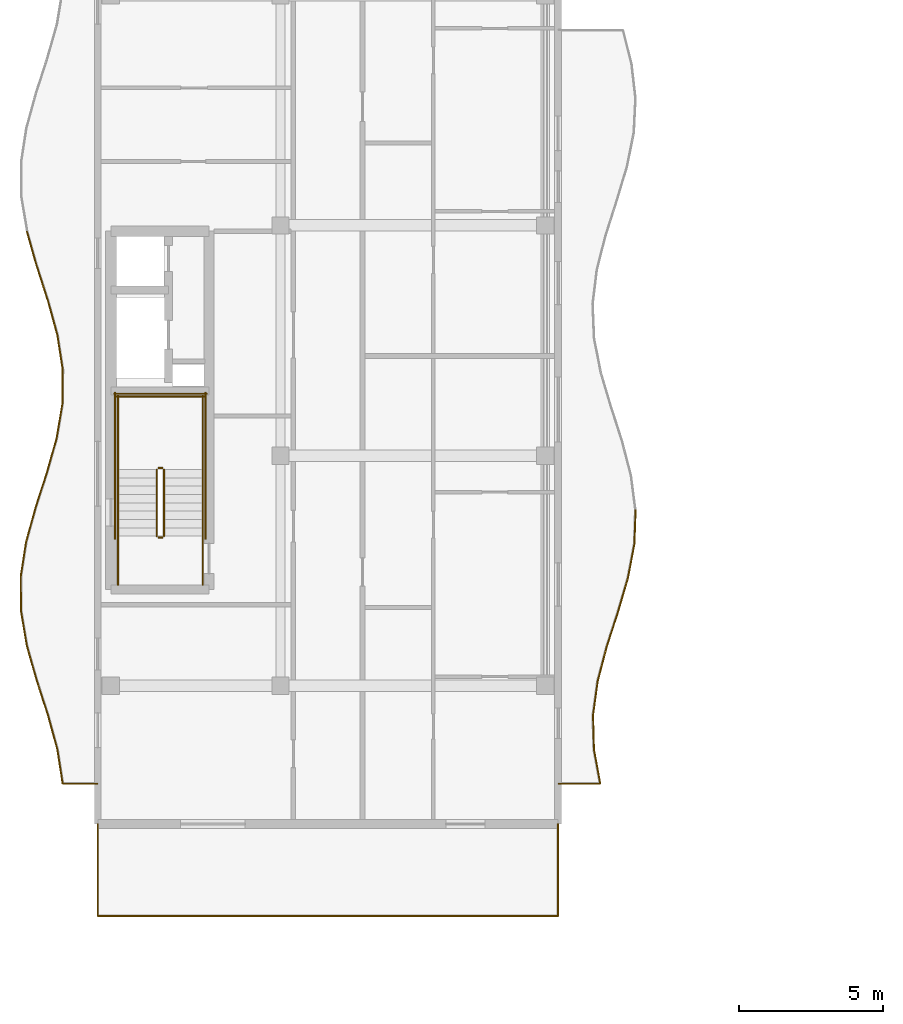
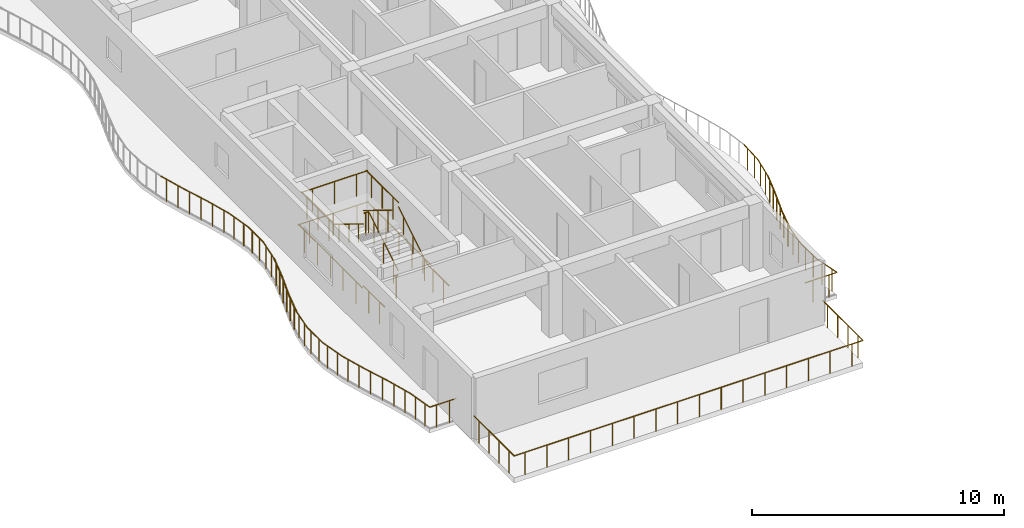
# One storey, part 48 of 72: 43 railings.
"""IFC4 building model written with IfcOpenShell, lengths in metres."""

from ifc_helpers import new_model, si_unit, direction, frame, origin, origin_2d, place, context, subcontext, project, spatial, circle, extrude, material, type_object, element, save


model = new_model("IFC4")

# Units and contexts
model_context = context("Model", 3, precision=1e-05, world=origin(), true_north=direction((0.0, 1.0)))
body_context = subcontext(model_context, "Body", "Model", "MODEL_VIEW")
ifc_project = project(units=[si_unit("LENGTHUNIT", "METRE"), si_unit("AREAUNIT", "SQUARE_METRE"), si_unit("VOLUMEUNIT", "CUBIC_METRE"), si_unit("PLANEANGLEUNIT", "RADIAN"), si_unit("MASSUNIT", "GRAM", prefix="KILO")], contexts=[model_context])

# Site, building, storey
site_placement = place(None, origin())
site = spatial("IfcSite", under=ifc_project, at=site_placement, CompositionType="ELEMENT")
building_placement = place(site_placement, origin())
building = spatial("IfcBuilding", under=site, at=building_placement, Name="Keldmere Railside Commons", CompositionType="ELEMENT")
storey_placement = place(building_placement, frame((0.0, 0.0, 16.9599609375)))
storey = spatial("IfcBuildingStorey", under=building, at=storey_placement, Name="L05", CompositionType="ELEMENT", Elevation=16.9599609375)

# Railings
ifc_material = material(Name="Steel F-24 (S235)", Category="steel")
railing_type_1 = type_object("IfcRailingType", Name="Balcony & Terrace Steel Balustrade 1100", PredefinedType="BALUSTRADE", material=ifc_material)
railing_1_placement = place(storey_placement, frame((24.0, 60.60009765625, 0.0)))
element("IfcRailing", 1, at=railing_1_placement, inside=storey, type_object=railing_type_1, Name="GR-1 GRD-L05-0525", PredefinedType="BALUSTRADE", context=body_context, shape_type="SweptSolid", body=[
    extrude(circle(Radius=0.02392578125, at=origin_2d()), frame((0.0, 0.0, 1.076171875), z_axis=(1.0, 0.0, 0.0), x_axis=(0.0, 1.0, 0.0)), (0.0, 0.0, 1.0), 1.4619140625),
    extrude(circle(Radius=0.02099609375, at=origin_2d()), frame((0.365478515625, 0.0, 0.0)), (0.0, 0.0, 1.0), 1.048095703125),
    extrude(circle(Radius=0.02099609375, at=origin_2d()), frame((1.096435546875, 0.0, 0.0)), (0.0, 0.0, 1.0), 1.048095703125),
])
railing_2_placement = place(storey_placement, frame((25.4619140625, 60.60009765625, 0.0)))
element("IfcRailing", 2, at=railing_2_placement, inside=storey, type_object=railing_type_1, Name="GR-1 GRD-L05-0526", PredefinedType="BALUSTRADE", context=body_context, shape_type="SweptSolid", body=[
    extrude(circle(Radius=0.02392578125, at=origin_2d()), frame((0.0, 0.0, 1.076171875), z_axis=(-0.180269342587, 0.983617285393, 0.0), x_axis=(-0.983617285393, -0.180269342587, 0.0)), (0.0, 0.0, 1.0), 1.210693359375),
    extrude(circle(Radius=0.02099609375, at=origin_2d()), frame((-0.0546875, 0.2978515625, 0.0)), (0.0, 0.0, 1.0), 1.048095703125),
    extrude(circle(Radius=0.02099609375, at=origin_2d()), frame((-0.16357421875, 0.89306640625, 0.0)), (0.0, 0.0, 1.0), 1.048095703125),
])
railing_3_placement = place(storey_placement, frame((25.24365234375, 61.791015625, 0.0)))
element("IfcRailing", 3, at=railing_3_placement, inside=storey, type_object=railing_type_1, Name="GR-1 GRD-L05-0527", PredefinedType="BALUSTRADE", context=body_context, shape_type="SweptSolid", body=[
    extrude(circle(Radius=0.02392578125, at=origin_2d()), frame((0.0, 0.0, 1.076171875), z_axis=(-0.026851090266, 0.999639444476, 0.0), x_axis=(-0.999639444476, -0.026851090266, 0.0)), (0.0, 0.0, 1.0), 1.191162109375),
    extrude(circle(Radius=0.02099609375, at=origin_2d()), frame((-0.008056640625, 0.297607421875, 0.0)), (0.0, 0.0, 1.0), 1.048095703125),
    extrude(circle(Radius=0.02099609375, at=origin_2d()), frame((-0.02392578125, 0.89306640625, 0.0)), (0.0, 0.0, 1.0), 1.048095703125),
])
railing_4_placement = place(storey_placement, frame((25.211669921875, 62.981689453125, 0.0)))
element("IfcRailing", 4, at=railing_4_placement, inside=storey, type_object=railing_type_1, Name="GR-1 GRD-L05-0528", PredefinedType="BALUSTRADE", context=body_context, shape_type="SweptSolid", body=[
    extrude(circle(Radius=0.02392578125, at=origin_2d()), frame((0.0, 0.0, 1.076171875), z_axis=(0.135675124648, 0.990753380288, 0.0), x_axis=(-0.990753380288, 0.135675124648, 0.0)), (0.0, 0.0, 1.0), 1.2021484375),
    extrude(circle(Radius=0.02099609375, at=origin_2d()), frame((0.040771484375, 0.2978515625, 0.0)), (0.0, 0.0, 1.0), 1.048095703125),
    extrude(circle(Radius=0.02099609375, at=origin_2d()), frame((0.122314453125, 0.89306640625, 0.0)), (0.0, 0.0, 1.0), 1.048095703125),
])
railing_5_placement = place(storey_placement, frame((25.374755859375, 64.172607421875, 0.0)))
element("IfcRailing", 5, at=railing_5_placement, inside=storey, type_object=railing_type_1, Name="GR-1 GRD-L05-0529", PredefinedType="BALUSTRADE", context=body_context, shape_type="SweptSolid", body=[
    extrude(circle(Radius=0.02392578125, at=origin_2d()), frame((0.0, 0.0, 1.076171875), z_axis=(0.255478514033, 0.966814733477, 0.0), x_axis=(-0.966814733477, 0.255478514033, 0.0)), (0.0, 0.0, 1.0), 1.231689453125),
    extrude(circle(Radius=0.02099609375, at=origin_2d()), frame((0.07861328125, 0.2978515625, 0.0)), (0.0, 0.0, 1.0), 1.048095703125),
    extrude(circle(Radius=0.02099609375, at=origin_2d()), frame((0.236083984375, 0.89306640625, 0.0)), (0.0, 0.0, 1.0), 1.048095703125),
])
railing_6_placement = place(storey_placement, frame((25.689453125, 65.363525390625, 0.0)))
element("IfcRailing", 6, at=railing_6_placement, inside=storey, type_object=railing_type_1, Name="GR-1 GRD-L05-0530", PredefinedType="BALUSTRADE", context=body_context, shape_type="SweptSolid", body=[
    extrude(circle(Radius=0.02392578125, at=origin_2d()), frame((0.0, 0.0, 1.076171875), z_axis=(0.306729120658, 0.951796851508, 0.0), x_axis=(-0.951796851508, 0.306729120658, 0.0)), (0.0, 0.0, 1.0), 1.251220703125),
    extrude(circle(Radius=0.02099609375, at=origin_2d()), frame((0.095947265625, 0.2978515625, 0.0)), (0.0, 0.0, 1.0), 1.048095703125),
    extrude(circle(Radius=0.02099609375, at=origin_2d()), frame((0.287841796875, 0.89306640625, 0.0)), (0.0, 0.0, 1.0), 1.048095703125),
])
railing_7_placement = place(storey_placement, frame((26.0732421875, 66.554443359375, 0.0)))
element("IfcRailing", 7, at=railing_7_placement, inside=storey, type_object=railing_type_1, Name="GR-1 GRD-L05-0531", PredefinedType="BALUSTRADE", context=body_context, shape_type="SweptSolid", body=[
    extrude(circle(Radius=0.02392578125, at=origin_2d()), frame((0.0, 0.0, 1.076171875), z_axis=(0.282709116991, 0.959205689709, 0.0), x_axis=(-0.959205689709, 0.282709116991, 0.0)), (0.0, 0.0, 1.0), 1.241943359375),
    extrude(circle(Radius=0.02099609375, at=origin_2d()), frame((0.087890625, 0.2978515625, 0.0)), (0.0, 0.0, 1.0), 1.048095703125),
    extrude(circle(Radius=0.02099609375, at=origin_2d()), frame((0.26318359375, 0.893310546875, 0.0)), (0.0, 0.0, 1.0), 1.048095703125),
])
railing_8_placement = place(storey_placement, frame((26.42431640625, 67.74560546875, 0.0)))
element("IfcRailing", 8, at=railing_8_placement, inside=storey, type_object=railing_type_1, Name="GR-1 GRD-L05-0532", PredefinedType="BALUSTRADE", context=body_context, shape_type="SweptSolid", body=[
    extrude(circle(Radius=0.02392578125, at=origin_2d()), frame((0.0, 0.0, 1.076171875), z_axis=(0.186343709333, 0.982484616669, 0.0), x_axis=(-0.982484616669, 0.186343709333, 0.0)), (0.0, 0.0, 1.0), 1.2119140625),
    extrude(circle(Radius=0.02099609375, at=origin_2d()), frame((0.056396484375, 0.297607421875, 0.0)), (0.0, 0.0, 1.0), 1.048095703125),
    extrude(circle(Radius=0.02099609375, at=origin_2d()), frame((0.16943359375, 0.89306640625, 0.0)), (0.0, 0.0, 1.0), 1.048095703125),
])
railing_9_placement = place(storey_placement, frame((26.650146484375, 68.936279296875, 0.0)))
element("IfcRailing", 9, at=railing_9_placement, inside=storey, type_object=railing_type_1, Name="GR-1 GRD-L05-0533", PredefinedType="BALUSTRADE", context=body_context, shape_type="SweptSolid", body=[
    extrude(circle(Radius=0.02392578125, at=origin_2d()), frame((0.0, 0.0, 1.076171875), z_axis=(0.034419937067, 0.999407458413, 0.0), x_axis=(-0.999407458413, 0.034419937067, 0.0)), (0.0, 0.0, 1.0), 1.191650390625),
    extrude(circle(Radius=0.02099609375, at=origin_2d()), frame((0.01025390625, 0.2978515625, 0.0)), (0.0, 0.0, 1.0), 1.048095703125),
    extrude(circle(Radius=0.02099609375, at=origin_2d()), frame((0.03076171875, 0.89306640625, 0.0)), (0.0, 0.0, 1.0), 1.048095703125),
])
railing_10_placement = place(storey_placement, frame((8.0, 60.60009765625, 0.0)))
element("IfcRailing", 10, at=railing_10_placement, inside=storey, type_object=railing_type_1, Name="GR-1 GRD-L05-0549", PredefinedType="BALUSTRADE", context=body_context, shape_type="SweptSolid", body=[
    extrude(circle(Radius=0.02392578125, at=origin_2d()), frame((0.0, 0.0, 1.076171875), z_axis=(-1.0, 0.0, 0.0), x_axis=(0.0, -1.0, 0.0)), (0.0, 0.0, 1.0), 1.22119140625),
    extrude(circle(Radius=0.02099609375, at=origin_2d()), frame((-0.30517578125, 0.0, 0.0)), (0.0, 0.0, 1.0), 1.048095703125),
    extrude(circle(Radius=0.02099609375, at=origin_2d()), frame((-0.916015625, 0.0, 0.0)), (0.0, 0.0, 1.0), 1.048095703125),
])
railing_11_placement = place(storey_placement, frame((6.77880859375, 60.60009765625, 0.0)))
element("IfcRailing", 11, at=railing_11_placement, inside=storey, type_object=railing_type_1, Name="GR-1 GRD-L05-0550", PredefinedType="BALUSTRADE", context=body_context, shape_type="SweptSolid", body=[
    extrude(circle(Radius=0.02392578125, at=origin_2d()), frame((0.0, 0.0, 1.076171875), z_axis=(-0.153008967051, 0.988224800337, 0.0), x_axis=(-0.988224800337, -0.153008967051, 0.0)), (0.0, 0.0, 1.0), 1.21435546875),
    extrude(circle(Radius=0.02099609375, at=origin_2d()), frame((-0.04638671875, 0.300048828125, 0.0)), (0.0, 0.0, 1.0), 1.048095703125),
    extrude(circle(Radius=0.02099609375, at=origin_2d()), frame((-0.139404296875, 0.89990234375, 0.0)), (0.0, 0.0, 1.0), 1.048095703125),
])
railing_12_placement = place(storey_placement, frame((6.593017578125, 61.800048828125, 0.0)))
element("IfcRailing", 12, at=railing_12_placement, inside=storey, type_object=railing_type_1, Name="GR-1 GRD-L05-0551", PredefinedType="BALUSTRADE", context=body_context, shape_type="SweptSolid", body=[
    extrude(circle(Radius=0.02392578125, at=origin_2d()), frame((0.0, 0.0, 1.076171875), z_axis=(-0.266136381947, 0.96393538487, 0.0), x_axis=(-0.96393538487, -0.266136381947, 0.0)), (0.0, 0.0, 1.0), 1.244873046875),
    extrude(circle(Radius=0.02099609375, at=origin_2d()), frame((-0.082763671875, 0.300048828125, 0.0)), (0.0, 0.0, 1.0), 1.048095703125),
    extrude(circle(Radius=0.02099609375, at=origin_2d()), frame((-0.24853515625, 0.89990234375, 0.0)), (0.0, 0.0, 1.0), 1.048095703125),
])
railing_13_placement = place(storey_placement, frame((6.26171875, 63.0, 0.0)))
element("IfcRailing", 13, at=railing_13_placement, inside=storey, type_object=railing_type_1, Name="GR-1 GRD-L05-0552", PredefinedType="BALUSTRADE", context=body_context, shape_type="SweptSolid", body=[
    extrude(circle(Radius=0.02392578125, at=origin_2d()), frame((0.0, 0.0, 1.076171875), z_axis=(-0.307794514865, 0.9514528557, 0.0), x_axis=(-0.9514528557, -0.307794514865, 0.0)), (0.0, 0.0, 1.0), 1.26123046875),
    extrude(circle(Radius=0.02099609375, at=origin_2d()), frame((-0.09716796875, 0.300048828125, 0.0)), (0.0, 0.0, 1.0), 1.048095703125),
    extrude(circle(Radius=0.02099609375, at=origin_2d()), frame((-0.291015625, 0.89990234375, 0.0)), (0.0, 0.0, 1.0), 1.048095703125),
])
railing_14_placement = place(storey_placement, frame((5.87353515625, 64.199951171875, 0.0)))
element("IfcRailing", 14, at=railing_14_placement, inside=storey, type_object=railing_type_1, Name="GR-1 GRD-L05-0553", PredefinedType="BALUSTRADE", context=body_context, shape_type="SweptSolid", body=[
    extrude(circle(Radius=0.02392578125, at=origin_2d()), frame((0.0, 0.0, 1.076171875), z_axis=(-0.273221524605, 0.961951141427, 0.0), x_axis=(-0.961951141427, -0.273221524605, 0.0)), (0.0, 0.0, 1.0), 1.247314453125),
    extrude(circle(Radius=0.02099609375, at=origin_2d()), frame((-0.085205078125, 0.300048828125, 0.0)), (0.0, 0.0, 1.0), 1.048095703125),
    extrude(circle(Radius=0.02099609375, at=origin_2d()), frame((-0.255615234375, 0.89990234375, 0.0)), (0.0, 0.0, 1.0), 1.048095703125),
])
railing_15_placement = place(storey_placement, frame((5.53271484375, 65.39990234375, 0.0)))
element("IfcRailing", 15, at=railing_15_placement, inside=storey, type_object=railing_type_1, Name="GR-1 GRD-L05-0554", PredefinedType="BALUSTRADE", context=body_context, shape_type="SweptSolid", body=[
    extrude(circle(Radius=0.02392578125, at=origin_2d()), frame((0.0, 0.0, 1.076171875), z_axis=(-0.166090224572, 0.986110560384, 0.0), x_axis=(-0.986110560384, -0.166090224572, 0.0)), (0.0, 0.0, 1.0), 1.217041015625),
    extrude(circle(Radius=0.02099609375, at=origin_2d()), frame((-0.050537109375, 0.300048828125, 0.0)), (0.0, 0.0, 1.0), 1.048095703125),
    extrude(circle(Radius=0.02099609375, at=origin_2d()), frame((-0.151611328125, 0.900146484375, 0.0)), (0.0, 0.0, 1.0), 1.048095703125),
])
railing_16_placement = place(storey_placement, frame((5.33056640625, 66.60009765625, 0.0)))
element("IfcRailing", 16, at=railing_16_placement, inside=storey, type_object=railing_type_1, Name="GR-1 GRD-L05-0555", PredefinedType="BALUSTRADE", context=body_context, shape_type="SweptSolid", body=[
    extrude(circle(Radius=0.02392578125, at=origin_2d()), frame((0.0, 0.0, 1.076171875), z_axis=(-0.007934643395, 0.999968520222, 0.0), x_axis=(-0.999968520222, -0.007934643395, 0.0)), (0.0, 0.0, 1.0), 1.199951171875),
    extrude(circle(Radius=0.02099609375, at=origin_2d()), frame((-0.00244140625, 0.300048828125, 0.0)), (0.0, 0.0, 1.0), 1.048095703125),
    extrude(circle(Radius=0.02099609375, at=origin_2d()), frame((-0.007080078125, 0.89990234375, 0.0)), (0.0, 0.0, 1.0), 1.048095703125),
])
railing_17_placement = place(storey_placement, frame((5.321044921875, 67.800048828125, 0.0)))
element("IfcRailing", 17, at=railing_17_placement, inside=storey, type_object=railing_type_1, Name="GR-1 GRD-L05-0556", PredefinedType="BALUSTRADE", context=body_context, shape_type="SweptSolid", body=[
    extrude(circle(Radius=0.02392578125, at=origin_2d()), frame((0.0, 0.0, 1.076171875), z_axis=(0.153205313782, 0.988194379578, 0.0), x_axis=(-0.988194379578, 0.153205313782, 0.0)), (0.0, 0.0, 1.0), 1.21435546875),
    extrude(circle(Radius=0.02099609375, at=origin_2d()), frame((0.04638671875, 0.300048828125, 0.0)), (0.0, 0.0, 1.0), 1.048095703125),
    extrude(circle(Radius=0.02099609375, at=origin_2d()), frame((0.1396484375, 0.89990234375, 0.0)), (0.0, 0.0, 1.0), 1.048095703125),
])
railing_18_placement = place(storey_placement, frame((5.507080078125, 69.0, 0.0)))
element("IfcRailing", 18, at=railing_18_placement, inside=storey, type_object=railing_type_1, Name="GR-1 GRD-L05-0557", PredefinedType="BALUSTRADE", context=body_context, shape_type="SweptSolid", body=[
    extrude(circle(Radius=0.02392578125, at=origin_2d()), frame((0.0, 0.0, 1.076171875), z_axis=(0.266136381947, 0.96393538487, 0.0), x_axis=(-0.96393538487, 0.266136381947, 0.0)), (0.0, 0.0, 1.0), 1.244873046875),
    extrude(circle(Radius=0.02099609375, at=origin_2d()), frame((0.082763671875, 0.300048828125, 0.0)), (0.0, 0.0, 1.0), 1.048095703125),
    extrude(circle(Radius=0.02099609375, at=origin_2d()), frame((0.24853515625, 0.89990234375, 0.0)), (0.0, 0.0, 1.0), 1.048095703125),
])
railing_19_placement = place(storey_placement, frame((5.83837890625, 70.199951171875, 0.0)))
element("IfcRailing", 19, at=railing_19_placement, inside=storey, type_object=railing_type_1, Name="GR-1 GRD-L05-0558", PredefinedType="BALUSTRADE", context=body_context, shape_type="SweptSolid", body=[
    extrude(circle(Radius=0.02392578125, at=origin_2d()), frame((0.0, 0.0, 1.076171875), z_axis=(0.307794514865, 0.9514528557, 0.0), x_axis=(-0.9514528557, 0.307794514865, 0.0)), (0.0, 0.0, 1.0), 1.26123046875),
    extrude(circle(Radius=0.02099609375, at=origin_2d()), frame((0.09716796875, 0.300048828125, 0.0)), (0.0, 0.0, 1.0), 1.048095703125),
    extrude(circle(Radius=0.02099609375, at=origin_2d()), frame((0.291015625, 0.89990234375, 0.0)), (0.0, 0.0, 1.0), 1.048095703125),
])
railing_20_placement = place(storey_placement, frame((6.2265625, 71.39990234375, 0.0)))
element("IfcRailing", 20, at=railing_20_placement, inside=storey, type_object=railing_type_1, Name="GR-1 GRD-L05-0559", PredefinedType="BALUSTRADE", context=body_context, shape_type="SweptSolid", body=[
    extrude(circle(Radius=0.02392578125, at=origin_2d()), frame((0.0, 0.0, 1.076171875), z_axis=(0.273170094317, 0.961965747608, 0.0), x_axis=(-0.961965747608, 0.273170094317, 0.0)), (0.0, 0.0, 1.0), 1.24755859375),
    extrude(circle(Radius=0.02099609375, at=origin_2d()), frame((0.085205078125, 0.300048828125, 0.0)), (0.0, 0.0, 1.0), 1.048095703125),
    extrude(circle(Radius=0.02099609375, at=origin_2d()), frame((0.255615234375, 0.900146484375, 0.0)), (0.0, 0.0, 1.0), 1.048095703125),
])
railing_21_placement = place(storey_placement, frame((6.5673828125, 72.60009765625, 0.0)))
element("IfcRailing", 21, at=railing_21_placement, inside=storey, type_object=railing_type_1, Name="GR-1 GRD-L05-0560", PredefinedType="BALUSTRADE", context=body_context, shape_type="SweptSolid", body=[
    extrude(circle(Radius=0.02392578125, at=origin_2d()), frame((0.0, 0.0, 1.076171875), z_axis=(0.166123084614, 0.986105025217, 0.0), x_axis=(-0.986105025217, 0.166123084614, 0.0)), (0.0, 0.0, 1.0), 1.216796875),
    extrude(circle(Radius=0.02099609375, at=origin_2d()), frame((0.050537109375, 0.300048828125, 0.0)), (0.0, 0.0, 1.0), 1.048095703125),
    extrude(circle(Radius=0.02099609375, at=origin_2d()), frame((0.151611328125, 0.89990234375, 0.0)), (0.0, 0.0, 1.0), 1.048095703125),
])
railing_22_placement = place(storey_placement, frame((6.76953125, 73.800048828125, 0.0)))
element("IfcRailing", 22, at=railing_22_placement, inside=storey, type_object=railing_type_1, Name="GR-1 GRD-L05-0561", PredefinedType="BALUSTRADE", context=body_context, shape_type="SweptSolid", body=[
    extrude(circle(Radius=0.02392578125, at=origin_2d()), frame((0.0, 0.0, 1.076171875), z_axis=(0.007731203321, 0.999970113801, 0.0), x_axis=(-0.999970113801, 0.007731203321, 0.0)), (0.0, 0.0, 1.0), 1.199951171875),
    extrude(circle(Radius=0.02099609375, at=origin_2d()), frame((0.00244140625, 0.300048828125, 0.0)), (0.0, 0.0, 1.0), 1.048095703125),
    extrude(circle(Radius=0.02099609375, at=origin_2d()), frame((0.0068359375, 0.89990234375, 0.0)), (0.0, 0.0, 1.0), 1.048095703125),
])
railing_23_placement = place(storey_placement, frame((6.77880859375, 75.0, 0.0)))
element("IfcRailing", 23, at=railing_23_placement, inside=storey, type_object=railing_type_1, Name="GR-1 GRD-L05-0562", PredefinedType="BALUSTRADE", context=body_context, shape_type="SweptSolid", body=[
    extrude(circle(Radius=0.02392578125, at=origin_2d()), frame((0.0, 0.0, 1.076171875), z_axis=(-0.153008967051, 0.988224800337, 0.0), x_axis=(-0.988224800337, -0.153008967051, 0.0)), (0.0, 0.0, 1.0), 1.21435546875),
    extrude(circle(Radius=0.02099609375, at=origin_2d()), frame((-0.04638671875, 0.300048828125, 0.0)), (0.0, 0.0, 1.0), 1.048095703125),
    extrude(circle(Radius=0.02099609375, at=origin_2d()), frame((-0.139404296875, 0.89990234375, 0.0)), (0.0, 0.0, 1.0), 1.048095703125),
])
railing_24_placement = place(storey_placement, frame((6.593017578125, 76.199951171875, 0.0)))
element("IfcRailing", 24, at=railing_24_placement, inside=storey, type_object=railing_type_1, Name="GR-1 GRD-L05-0563", PredefinedType="BALUSTRADE", context=body_context, shape_type="SweptSolid", body=[
    extrude(circle(Radius=0.02392578125, at=origin_2d()), frame((0.0, 0.0, 1.076171875), z_axis=(-0.266136381947, 0.96393538487, 0.0), x_axis=(-0.96393538487, -0.266136381947, 0.0)), (0.0, 0.0, 1.0), 1.244873046875),
    extrude(circle(Radius=0.02099609375, at=origin_2d()), frame((-0.082763671875, 0.300048828125, 0.0)), (0.0, 0.0, 1.0), 1.048095703125),
    extrude(circle(Radius=0.02099609375, at=origin_2d()), frame((-0.24853515625, 0.89990234375, 0.0)), (0.0, 0.0, 1.0), 1.048095703125),
])
railing_25_placement = place(storey_placement, frame((6.26171875, 77.39990234375, 0.0)))
element("IfcRailing", 25, at=railing_25_placement, inside=storey, type_object=railing_type_1, Name="GR-1 GRD-L05-0564", PredefinedType="BALUSTRADE", context=body_context, shape_type="SweptSolid", body=[
    extrude(circle(Radius=0.02392578125, at=origin_2d()), frame((0.0, 0.0, 1.076171875), z_axis=(-0.307737834048, 0.95147119005, 0.0), x_axis=(-0.95147119005, -0.307737834048, 0.0)), (0.0, 0.0, 1.0), 1.261474609375),
    extrude(circle(Radius=0.02099609375, at=origin_2d()), frame((-0.09716796875, 0.300048828125, 0.0)), (0.0, 0.0, 1.0), 1.048095703125),
    extrude(circle(Radius=0.02099609375, at=origin_2d()), frame((-0.291015625, 0.900146484375, 0.0)), (0.0, 0.0, 1.0), 1.048095703125),
])
railing_26_placement = place(storey_placement, frame((5.87353515625, 78.60009765625, 0.0)))
element("IfcRailing", 26, at=railing_26_placement, inside=storey, type_object=railing_type_1, Name="GR-1 GRD-L05-0565", PredefinedType="BALUSTRADE", context=body_context, shape_type="SweptSolid", body=[
    extrude(circle(Radius=0.02392578125, at=origin_2d()), frame((0.0, 0.0, 1.076171875), z_axis=(-0.273221524605, 0.961951141427, 0.0), x_axis=(-0.961951141427, -0.273221524605, 0.0)), (0.0, 0.0, 1.0), 1.247314453125),
    extrude(circle(Radius=0.02099609375, at=origin_2d()), frame((-0.085205078125, 0.300048828125, 0.0)), (0.0, 0.0, 1.0), 1.048095703125),
    extrude(circle(Radius=0.02099609375, at=origin_2d()), frame((-0.255615234375, 0.89990234375, 0.0)), (0.0, 0.0, 1.0), 1.048095703125),
])
railing_27_placement = place(storey_placement, frame((8.0, 59.199951171875, 0.0)))
element("IfcRailing", 27, at=railing_27_placement, inside=storey, type_object=railing_type_1, Name="GR-1 GRD-L05-0609", PredefinedType="BALUSTRADE", context=body_context, shape_type="SweptSolid", body=[
    extrude(circle(Radius=0.02392578125, at=origin_2d()), frame((0.0, 0.0, 1.076171875), z_axis=(0.0, -1.0, 0.0), x_axis=(1.0, 0.0, 0.0)), (0.0, 0.0, 1.0), 3.199951171875),
    extrude(circle(Radius=0.02099609375, at=origin_2d()), frame((0.0, -0.39990234375, 0.0)), (0.0, 0.0, 1.0), 1.048095703125),
    extrude(circle(Radius=0.02099609375, at=origin_2d()), frame((0.0, -1.199951171875, 0.0)), (0.0, 0.0, 1.0), 1.048095703125),
    extrude(circle(Radius=0.02099609375, at=origin_2d()), frame((0.0, -2.0, 0.0)), (0.0, 0.0, 1.0), 1.048095703125),
    extrude(circle(Radius=0.02099609375, at=origin_2d()), frame((0.0, -2.800048828125, 0.0)), (0.0, 0.0, 1.0), 1.048095703125),
])
railing_28_placement = place(storey_placement, frame((8.0, 56.0, 0.0)))
element("IfcRailing", 28, at=railing_28_placement, inside=storey, type_object=railing_type_1, Name="GR-1 GRD-L05-0610", PredefinedType="BALUSTRADE", context=body_context, shape_type="SweptSolid", body=[
    extrude(circle(Radius=0.02392578125, at=origin_2d()), frame((0.0, 0.0, 1.076171875), z_axis=(1.0, 0.0, 0.0), x_axis=(0.0, 1.0, 0.0)), (0.0, 0.0, 1.0), 16.0),
    extrude(circle(Radius=0.02099609375, at=origin_2d()), frame((0.5, 0.0, 0.0)), (0.0, 0.0, 1.0), 1.048095703125),
    extrude(circle(Radius=0.02099609375, at=origin_2d()), frame((1.5, 0.0, 0.0)), (0.0, 0.0, 1.0), 1.048095703125),
    extrude(circle(Radius=0.02099609375, at=origin_2d()), frame((2.5, 0.0, 0.0)), (0.0, 0.0, 1.0), 1.048095703125),
    extrude(circle(Radius=0.02099609375, at=origin_2d()), frame((3.5, 0.0, 0.0)), (0.0, 0.0, 1.0), 1.048095703125),
    extrude(circle(Radius=0.02099609375, at=origin_2d()), frame((4.5, 0.0, 0.0)), (0.0, 0.0, 1.0), 1.048095703125),
    extrude(circle(Radius=0.02099609375, at=origin_2d()), frame((5.5, 0.0, 0.0)), (0.0, 0.0, 1.0), 1.048095703125),
    extrude(circle(Radius=0.02099609375, at=origin_2d()), frame((6.5, 0.0, 0.0)), (0.0, 0.0, 1.0), 1.048095703125),
    extrude(circle(Radius=0.02099609375, at=origin_2d()), frame((7.5, 0.0, 0.0)), (0.0, 0.0, 1.0), 1.048095703125),
    extrude(circle(Radius=0.02099609375, at=origin_2d()), frame((8.5, 0.0, 0.0)), (0.0, 0.0, 1.0), 1.048095703125),
    extrude(circle(Radius=0.02099609375, at=origin_2d()), frame((9.5, 0.0, 0.0)), (0.0, 0.0, 1.0), 1.048095703125),
    extrude(circle(Radius=0.02099609375, at=origin_2d()), frame((10.5, 0.0, 0.0)), (0.0, 0.0, 1.0), 1.048095703125),
    extrude(circle(Radius=0.02099609375, at=origin_2d()), frame((11.5, 0.0, 0.0)), (0.0, 0.0, 1.0), 1.048095703125),
    extrude(circle(Radius=0.02099609375, at=origin_2d()), frame((12.5, 0.0, 0.0)), (0.0, 0.0, 1.0), 1.048095703125),
    extrude(circle(Radius=0.02099609375, at=origin_2d()), frame((13.5, 0.0, 0.0)), (0.0, 0.0, 1.0), 1.048095703125),
    extrude(circle(Radius=0.02099609375, at=origin_2d()), frame((14.5, 0.0, 0.0)), (0.0, 0.0, 1.0), 1.048095703125),
    extrude(circle(Radius=0.02099609375, at=origin_2d()), frame((15.5, 0.0, 0.0)), (0.0, 0.0, 1.0), 1.048095703125),
])
railing_29_placement = place(storey_placement, frame((24.0, 56.0, 0.0)))
element("IfcRailing", 29, at=railing_29_placement, inside=storey, type_object=railing_type_1, Name="GR-1 GRD-L05-0611", PredefinedType="BALUSTRADE", context=body_context, shape_type="SweptSolid", body=[
    extrude(circle(Radius=0.02392578125, at=origin_2d()), frame((0.0, 0.0, 1.076171875), z_axis=(0.0, 1.0, 0.0), x_axis=(-1.0, 0.0, 0.0)), (0.0, 0.0, 1.0), 3.199951171875),
    extrude(circle(Radius=0.02099609375, at=origin_2d()), frame((0.0, 0.39990234375, 0.0)), (0.0, 0.0, 1.0), 1.048095703125),
    extrude(circle(Radius=0.02099609375, at=origin_2d()), frame((0.0, 1.199951171875, 0.0)), (0.0, 0.0, 1.0), 1.048095703125),
    extrude(circle(Radius=0.02099609375, at=origin_2d()), frame((0.0, 2.0, 0.0)), (0.0, 0.0, 1.0), 1.048095703125),
    extrude(circle(Radius=0.02099609375, at=origin_2d()), frame((0.0, 2.800048828125, 0.0)), (0.0, 0.0, 1.0), 1.048095703125),
])
railing_type_2 = type_object("IfcRailingType", Name="Stair Well Steel Guardrail 1100", PredefinedType="BALUSTRADE", material=ifc_material)
railing_30_placement = place(storey_placement, frame((10.300048828125, 69.199951171875, 0.177734375)))
element("IfcRailing", 30, at=railing_30_placement, inside=storey, type_object=railing_type_2, Name="L05 ST-D1 stair guard 1", PredefinedType="BALUSTRADE", context=body_context, shape_type="SweptSolid", body=[
    extrude(circle(Radius=0.02392578125, at=origin_2d()), frame((0.0, 0.0, 1.076171875), z_axis=(0.0, 0.852538067394, 0.522665135287), x_axis=(-1.0, 0.0, 0.0)), (0.0, 0.0, 1.0), 2.721435546875),
    extrude(circle(Radius=0.02099609375, at=origin_2d()), frame((0.0, 0.38671875, 0.237060546875)), (0.0, 0.0, 1.0), 1.048095703125),
    extrude(circle(Radius=0.02099609375, at=origin_2d()), frame((0.0, 1.16015625, 0.711181640625)), (0.0, 0.0, 1.0), 1.048095703125),
    extrude(circle(Radius=0.02099609375, at=origin_2d()), frame((0.0, 1.933349609375, 1.185302734375)), (0.0, 0.0, 1.0), 1.048095703125),
])
railing_31_placement = place(storey_placement, frame((10.25, 71.570068359375, 1.60009765625)))
element("IfcRailing", 31, at=railing_31_placement, inside=storey, type_object=railing_type_2, Name="L05 ST-D1 stair guard 2", PredefinedType="BALUSTRADE", context=body_context, shape_type="SweptSolid", body=[
    extrude(circle(Radius=0.02392578125, at=origin_2d()), frame((0.0, 0.0, 1.076171875), z_axis=(-1.0, 0.0, 0.0), x_axis=(0.0, -1.0, 0.0)), (0.0, 0.0, 1.0), 0.14990234375),
    extrude(circle(Radius=0.02099609375, at=origin_2d()), frame((-0.074951171875, 0.0, 0.0)), (0.0, 0.0, 1.0), 1.048095703125),
])
for number, where, name in (
    (32, (11.64990234375, 71.52001953125, 1.60009765625), "L05 ST-D1 stair guard 3"),
    (33, (8.699951171875, 71.52001953125, 1.60009765625), "L05 ST-D1 stair guard 4"),
):
    element("IfcRailing", number, at=place(storey_placement, frame(where)), inside=storey, type_object=railing_type_2, Name=name, PredefinedType="BALUSTRADE", context=body_context, shape_type="SweptSolid", body=[
        extrude(circle(Radius=0.02392578125, at=origin_2d()), frame((0.0, 0.0, 1.076171875), z_axis=(0.0, 1.0, 0.0), x_axis=(-1.0, 0.0, 0.0)), (0.0, 0.0, 1.0), 2.580078125),
        extrude(circle(Radius=0.02099609375, at=origin_2d()), frame((0.0, 0.429931640625, 0.0)), (0.0, 0.0, 1.0), 1.048095703125),
        extrude(circle(Radius=0.02099609375, at=origin_2d()), frame((0.0, 1.2900390625, 0.0)), (0.0, 0.0, 1.0), 1.048095703125),
        extrude(circle(Radius=0.02099609375, at=origin_2d()), frame((0.0, 2.150146484375, 0.0)), (0.0, 0.0, 1.0), 1.048095703125),
    ])
railing_32_placement = place(storey_placement, frame((11.699951171875, 74.050048828125, 1.60009765625)))
element("IfcRailing", 34, at=railing_32_placement, inside=storey, type_object=railing_type_2, Name="L05 ST-D1 stair guard 5", PredefinedType="BALUSTRADE", context=body_context, shape_type="SweptSolid", body=[
    extrude(circle(Radius=0.02392578125, at=origin_2d()), frame((0.0, 0.0, 1.076171875), z_axis=(-1.0, 0.0, 0.0), x_axis=(0.0, -1.0, 0.0)), (0.0, 0.0, 1.0), 3.050048828125),
    extrude(circle(Radius=0.02099609375, at=origin_2d()), frame((-0.50830078125, 0.0, 0.0)), (0.0, 0.0, 1.0), 1.048095703125),
    extrude(circle(Radius=0.02099609375, at=origin_2d()), frame((-1.52490234375, 0.0, 0.0)), (0.0, 0.0, 1.0), 1.048095703125),
    extrude(circle(Radius=0.02099609375, at=origin_2d()), frame((-2.541748046875, 0.0, 0.0)), (0.0, 0.0, 1.0), 1.048095703125),
])
railing_33_placement = place(storey_placement, frame((10.050048828125, 71.52001953125, 1.77783203125)))
element("IfcRailing", 35, at=railing_33_placement, inside=storey, type_object=railing_type_2, Name="L05 ST-D1 stair guard 6", PredefinedType="BALUSTRADE", context=body_context, shape_type="SweptSolid", body=[
    extrude(circle(Radius=0.02392578125, at=origin_2d()), frame((0.0, 0.0, 1.076171875), z_axis=(0.0, -0.852578041948, 0.522599925744), x_axis=(1.0, 0.0, 0.0)), (0.0, 0.0, 1.0), 2.72119140625),
    extrude(circle(Radius=0.02099609375, at=origin_2d()), frame((0.0, -0.38671875, 0.237060546875)), (0.0, 0.0, 1.0), 1.048095703125),
    extrude(circle(Radius=0.02099609375, at=origin_2d()), frame((0.0, -1.16015625, 0.7109375)), (0.0, 0.0, 1.0), 1.048095703125),
    extrude(circle(Radius=0.02099609375, at=origin_2d()), frame((0.0, -1.933349609375, 1.18505859375)), (0.0, 0.0, 1.0), 1.048095703125),
])
railing_34_placement = place(storey_placement, frame((10.25, 69.14990234375, 0.0)))
element("IfcRailing", 36, at=railing_34_placement, inside=storey, type_object=railing_type_2, Name="L05 ST-D1 stair guard 7", PredefinedType="BALUSTRADE", context=body_context, shape_type="SweptSolid", body=[
    extrude(circle(Radius=0.02392578125, at=origin_2d()), frame((0.0, 0.0, 1.076171875), z_axis=(-1.0, 0.0, 0.0), x_axis=(0.0, -1.0, 0.0)), (0.0, 0.0, 1.0), 0.14990234375),
    extrude(circle(Radius=0.02099609375, at=origin_2d()), frame((-0.074951171875, 0.0, 0.0)), (0.0, 0.0, 1.0), 1.048095703125),
])
for number, where, name in (
    (37, (11.64990234375, 67.5, 0.0), "L05 ST-D1 stair guard 8"),
    (38, (8.699951171875, 67.5, 0.0), "L05 ST-D1 stair guard 9"),
):
    element("IfcRailing", number, at=place(storey_placement, frame(where)), inside=storey, type_object=railing_type_2, Name=name, PredefinedType="BALUSTRADE", context=body_context, shape_type="SweptSolid", body=[
        extrude(circle(Radius=0.02392578125, at=origin_2d()), frame((0.0, 0.0, 1.076171875), z_axis=(0.0, 1.0, 0.0), x_axis=(-1.0, 0.0, 0.0)), (0.0, 0.0, 1.0), 1.699951171875),
        extrude(circle(Radius=0.02099609375, at=origin_2d()), frame((0.0, 0.425048828125, 0.0)), (0.0, 0.0, 1.0), 1.048095703125),
        extrude(circle(Radius=0.02099609375, at=origin_2d()), frame((0.0, 1.27490234375, 0.0)), (0.0, 0.0, 1.0), 1.048095703125),
    ])
for number, where, name in (
    (39, (11.75, 69.10009765625, 0.0), "L05 ST-D1 stair guard 10"),
    (40, (8.60009765625, 69.10009765625, 0.0), "L05 ST-D1 stair guard 11"),
):
    element("IfcRailing", number, at=place(storey_placement, frame(where)), inside=storey, type_object=railing_type_2, Name=name, PredefinedType="BALUSTRADE", context=body_context, shape_type="SweptSolid", body=[
        extrude(circle(Radius=0.02392578125, at=origin_2d()), frame((0.0, 0.0, 1.076171875), z_axis=(0.0, 1.0, 0.0), x_axis=(-1.0, 0.0, 0.0)), (0.0, 0.0, 1.0), 5.099853515625),
        extrude(circle(Radius=0.02099609375, at=origin_2d()), frame((0.0, 0.510009765625, 0.0)), (0.0, 0.0, 1.0), 1.048095703125),
        extrude(circle(Radius=0.02099609375, at=origin_2d()), frame((0.0, 1.530029296875, 0.0)), (0.0, 0.0, 1.0), 1.048095703125),
        extrude(circle(Radius=0.02099609375, at=origin_2d()), frame((0.0, 2.5498046875, 0.0)), (0.0, 0.0, 1.0), 1.048095703125),
        extrude(circle(Radius=0.02099609375, at=origin_2d()), frame((0.0, 3.56982421875, 0.0)), (0.0, 0.0, 1.0), 1.048095703125),
        extrude(circle(Radius=0.02099609375, at=origin_2d()), frame((0.0, 4.58984375, 0.0)), (0.0, 0.0, 1.0), 1.048095703125),
    ])
railing_35_placement = place(storey_placement, frame((11.800048828125, 74.14990234375, 0.0)))
element("IfcRailing", 41, at=railing_35_placement, inside=storey, type_object=railing_type_2, Name="L05 ST-D1 stair guard 12", PredefinedType="BALUSTRADE", context=body_context, shape_type="SweptSolid", body=[
    extrude(circle(Radius=0.02392578125, at=origin_2d()), frame((0.0, 0.0, 1.076171875), z_axis=(-1.0, 0.0, 0.0), x_axis=(0.0, -1.0, 0.0)), (0.0, 0.0, 1.0), 3.25),
    extrude(circle(Radius=0.02099609375, at=origin_2d()), frame((-0.541748046875, 0.0, 0.0)), (0.0, 0.0, 1.0), 1.048095703125),
    extrude(circle(Radius=0.02099609375, at=origin_2d()), frame((-1.625, 0.0, 0.0)), (0.0, 0.0, 1.0), 1.048095703125),
    extrude(circle(Radius=0.02099609375, at=origin_2d()), frame((-2.708251953125, 0.0, 0.0)), (0.0, 0.0, 1.0), 1.048095703125),
])
railing_type_3 = type_object("IfcRailingType", Name="Wall-Mounted Tubular Steel Handrail 900", PredefinedType="HANDRAIL", material=ifc_material)
railing_36_placement = place(storey_placement, frame((11.64990234375, 69.199951171875, 0.177734375)))
element("IfcRailing", 42, at=railing_36_placement, inside=storey, type_object=railing_type_3, Name="L05 ST-D1 stair handrail 1", PredefinedType="HANDRAIL", context=body_context, shape_type="SweptSolid", body=[
    extrude(circle(Radius=0.02392578125, at=origin_2d()), frame((0.0, 0.0, 0.8759765625), z_axis=(0.0, 0.852538067394, 0.522665135287), x_axis=(-1.0, 0.0, 0.0)), (0.0, 0.0, 1.0), 2.721435546875),
    extrude(circle(Radius=0.02099609375, at=origin_2d()), frame((0.0, 0.38671875, 0.237060546875)), (0.0, 0.0, 1.0), 0.847900390625),
    extrude(circle(Radius=0.02099609375, at=origin_2d()), frame((0.0, 1.16015625, 0.711181640625)), (0.0, 0.0, 1.0), 0.847900390625),
    extrude(circle(Radius=0.02099609375, at=origin_2d()), frame((0.0, 1.933349609375, 1.185302734375)), (0.0, 0.0, 1.0), 0.847900390625),
])
railing_37_placement = place(storey_placement, frame((8.699951171875, 71.52001953125, 1.77783203125)))
element("IfcRailing", 43, at=railing_37_placement, inside=storey, type_object=railing_type_3, Name="L05 ST-D1 stair handrail 2", PredefinedType="HANDRAIL", context=body_context, shape_type="SweptSolid", body=[
    extrude(circle(Radius=0.02392578125, at=origin_2d()), frame((0.0, 0.0, 0.8759765625), z_axis=(0.0, -0.852578041948, 0.522599925744), x_axis=(1.0, 0.0, 0.0)), (0.0, 0.0, 1.0), 2.72119140625),
    extrude(circle(Radius=0.02099609375, at=origin_2d()), frame((0.0, -0.38671875, 0.237060546875)), (0.0, 0.0, 1.0), 0.847900390625),
    extrude(circle(Radius=0.02099609375, at=origin_2d()), frame((0.0, -1.16015625, 0.7109375)), (0.0, 0.0, 1.0), 0.847900390625),
    extrude(circle(Radius=0.02099609375, at=origin_2d()), frame((0.0, -1.933349609375, 1.18505859375)), (0.0, 0.0, 1.0), 0.847900390625),
])

save(model, "model.ifc")
